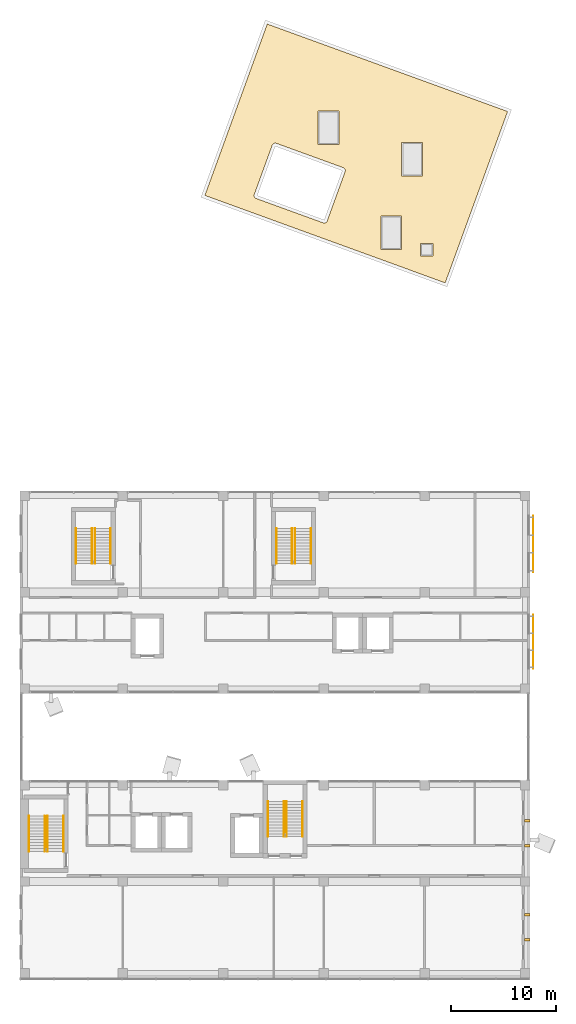
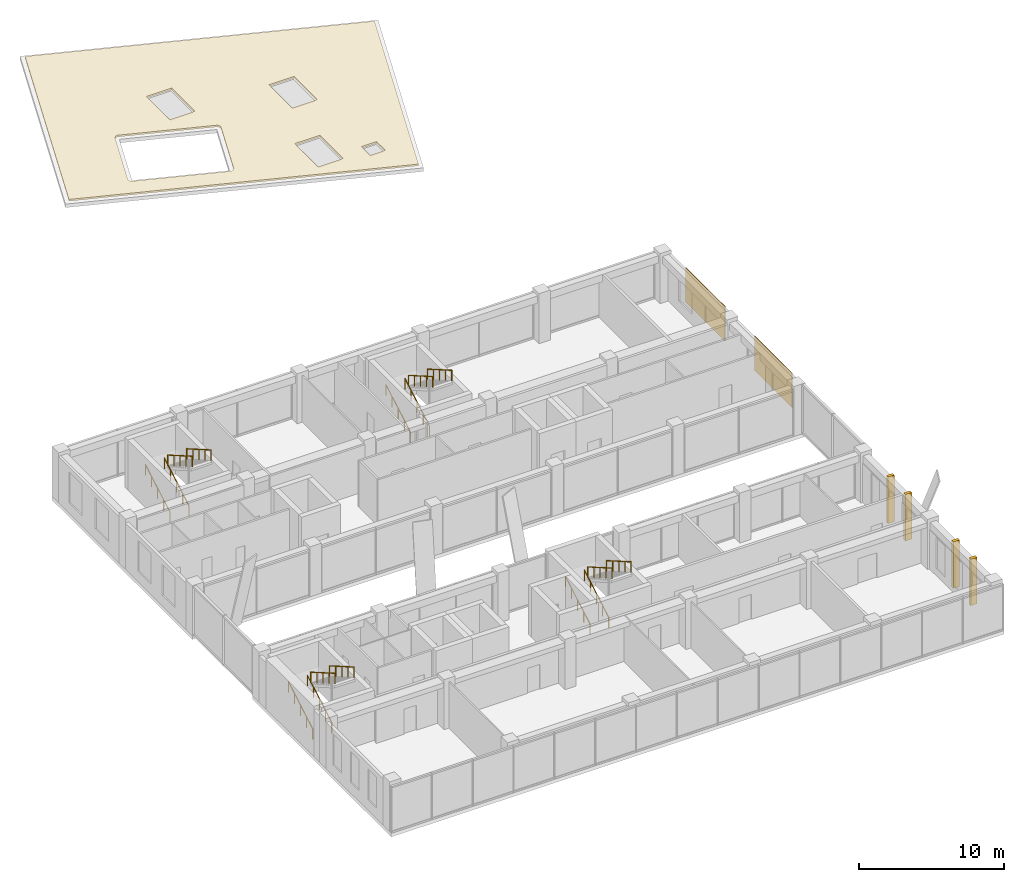
# One storey, part 31 of 36: 16 railings, 6 shading devices, 1 covering.
"""IFC4 building model written with IfcOpenShell, lengths in metres."""

from ifc_helpers import new_model, si_unit, direction, frame, origin, origin_2d, place, context, subcontext, project, spatial, polyline, rectangle, circle, outline, extrude, material, layer, layer_set, type_object, element, save


model = new_model("IFC4")

# Units and contexts
model_context = context("Model", 3, precision=1e-05, world=origin(), true_north=direction((0.0, 1.0)))
body_context = subcontext(model_context, "Body", "Model", "MODEL_VIEW")
ifc_project = project(units=[si_unit("LENGTHUNIT", "METRE"), si_unit("AREAUNIT", "SQUARE_METRE"), si_unit("VOLUMEUNIT", "CUBIC_METRE"), si_unit("PLANEANGLEUNIT", "RADIAN"), si_unit("MASSUNIT", "GRAM", prefix="KILO")], contexts=[model_context])

# Site, building, storey
site_placement = place(None, origin())
site = spatial("IfcSite", under=ifc_project, at=site_placement, CompositionType="ELEMENT")
building_placement = place(site_placement, origin())
building = spatial("IfcBuilding", under=site, at=building_placement, Name="Nzadi Deep Aquarium and Research Tower", CompositionType="ELEMENT")
storey_placement = place(building_placement, frame((0.0, 0.0, 44.5)))
storey = spatial("IfcBuildingStorey", under=building, at=storey_placement, Name="L08", CompositionType="ELEMENT", Elevation=44.5)

# Shading devices
ifc_material_1 = material(Name="Concrete C35/45", Category="concrete")
shading_device_type_1 = type_object("IfcShadingDeviceType", Name="Fin board-formed concrete 250 deep", PredefinedType="USERDEFINED", material=ifc_material_1)
for number, where, z_axis, x_axis, name in (
    (1, (48.199951171875, 3.625, 0.0), (0.0, 0.0, 1.0), (1.0, 0.0, 0.0), "Fin blade A east L08"),
    (2, (48.199951171875, 6.02490234375, 0.0), (0.0, 0.0, 1.0), (1.0, 0.0, 0.0), "Fin blade A east L08"),
    (3, (48.199951171875, 12.60009765625, 0.0), (0.0, 0.0, 1.0), (1.0, 0.0, 0.0), "Fin blade A east L08"),
    (4, (48.199951171875, 15.0, 0.0), (0.0, 0.0, 1.0), (1.0, 0.0, 0.0), "Fin blade A east L08"),
):
    element("IfcShadingDevice", number, at=place(storey_placement, frame(where, z_axis=z_axis, x_axis=x_axis)), inside=storey, type_object=shading_device_type_1, Name=name, ObjectType="Fin", PredefinedType="USERDEFINED", context=body_context, shape_type="SweptSolid", body=[
        extrude(rectangle(XDim=0.5, YDim=0.25, at=origin_2d()), origin(), (0.0, 0.0, 1.0), 3.89990234375),
    ])

# Railings
ifc_material_2 = material(Name="Stainless steel 1.4301", Category="steel")
railing_type = type_object("IfcRailingType", Name="HANDRAIL 900", PredefinedType="HANDRAIL", material=ifc_material_2)
for number, where, name in (
    (5, (0.659912109375, 12.070068359375, 0.16162109375), "HR-ST-Z1-SW-L08-F1"),
    (6, (2.1650390625, 12.070068359375, 0.16162109375), "HR-ST-Z1-SW-L08-F1W"),
):
    element("IfcRailing", number, at=place(storey_placement, frame(where)), inside=storey, type_object=railing_type, Name=name, PredefinedType="HANDRAIL", context=body_context, shape_type="SweptSolid", body=[
        extrude(circle(Radius=0.02392578125, at=origin_2d()), frame((0.0, 0.0, 0.8759765625), z_axis=(0.0, 0.866175107563, 0.499740615757), x_axis=(-1.0, 0.0, 0.0)), (0.0, 0.0, 1.0), 3.87890625),
        extrude(circle(Radius=0.02099609375, at=origin_2d()), origin(), (0.0, 0.0, 1.0), 0.851806640625),
        extrude(circle(Radius=0.02099609375, at=origin_2d()), frame((0.0, 0.83984375, 0.484619140625)), (0.0, 0.0, 1.0), 0.851806640625),
        extrude(circle(Radius=0.02099609375, at=origin_2d()), frame((0.0, 1.679931640625, 0.96923828125)), (0.0, 0.0, 1.0), 0.851806640625),
        extrude(circle(Radius=0.02099609375, at=origin_2d()), frame((0.0, 2.52001953125, 1.453857421875)), (0.0, 0.0, 1.0), 0.851806640625),
        extrude(circle(Radius=0.02099609375, at=origin_2d()), frame((0.0, 3.35986328125, 1.9384765625)), (0.0, 0.0, 1.0), 0.851806640625),
    ])
for number, where, name in (
    (7, (3.93994140625, 15.429931640625, 2.261474609375), "HR-ST-Z1-SW-L08-F2"),
    (8, (2.43505859375, 15.429931640625, 2.261474609375), "HR-ST-Z1-SW-L08-F2W"),
):
    element("IfcRailing", number, at=place(storey_placement, frame(where)), inside=storey, type_object=railing_type, Name=name, PredefinedType="HANDRAIL", context=body_context, shape_type="SweptSolid", body=[
        extrude(circle(Radius=0.02392578125, at=origin_2d()), frame((0.0, 0.0, 0.8759765625), z_axis=(0.0, -0.866175107563, 0.499740615757), x_axis=(1.0, 0.0, 0.0)), (0.0, 0.0, 1.0), 3.87890625),
        extrude(circle(Radius=0.02099609375, at=origin_2d()), origin(), (0.0, 0.0, 1.0), 0.851806640625),
        extrude(circle(Radius=0.02099609375, at=origin_2d()), frame((0.0, -0.83984375, 0.484619140625)), (0.0, 0.0, 1.0), 0.851806640625),
        extrude(circle(Radius=0.02099609375, at=origin_2d()), frame((0.0, -1.679931640625, 0.96923828125)), (0.0, 0.0, 1.0), 0.851806640625),
        extrude(circle(Radius=0.02099609375, at=origin_2d()), frame((0.0, -2.52001953125, 1.453857421875)), (0.0, 0.0, 1.0), 0.851806640625),
        extrude(circle(Radius=0.02099609375, at=origin_2d()), frame((0.0, -3.35986328125, 1.9384765625)), (0.0, 0.0, 1.0), 0.851806640625),
    ])
for number, where, name in (
    (9, (23.4599609375, 13.469970703125, 0.16162109375), "HR-ST-Z1-SE-L08-F1"),
    (10, (24.965087890625, 13.469970703125, 0.16162109375), "HR-ST-Z1-SE-L08-F1W"),
):
    element("IfcRailing", number, at=place(storey_placement, frame(where)), inside=storey, type_object=railing_type, Name=name, PredefinedType="HANDRAIL", context=body_context, shape_type="SweptSolid", body=[
        extrude(circle(Radius=0.02392578125, at=origin_2d()), frame((0.0, 0.0, 0.8759765625), z_axis=(0.0, 0.866190824863, 0.499713372768), x_axis=(-1.0, 0.0, 0.0)), (0.0, 0.0, 1.0), 3.879150390625),
        extrude(circle(Radius=0.02099609375, at=origin_2d()), origin(), (0.0, 0.0, 1.0), 0.851806640625),
        extrude(circle(Radius=0.02099609375, at=origin_2d()), frame((0.0, 0.840087890625, 0.484619140625)), (0.0, 0.0, 1.0), 0.851806640625),
        extrude(circle(Radius=0.02099609375, at=origin_2d()), frame((0.0, 1.68017578125, 0.96923828125)), (0.0, 0.0, 1.0), 0.851806640625),
        extrude(circle(Radius=0.02099609375, at=origin_2d()), frame((0.0, 2.52001953125, 1.453857421875)), (0.0, 0.0, 1.0), 0.851806640625),
        extrude(circle(Radius=0.02099609375, at=origin_2d()), frame((0.0, 3.360107421875, 1.9384765625)), (0.0, 0.0, 1.0), 0.851806640625),
    ])
for number, where, name in (
    (11, (26.739990234375, 16.830078125, 2.261474609375), "HR-ST-Z1-SE-L08-F2"),
    (12, (25.235107421875, 16.830078125, 2.261474609375), "HR-ST-Z1-SE-L08-F2W"),
):
    element("IfcRailing", number, at=place(storey_placement, frame(where)), inside=storey, type_object=railing_type, Name=name, PredefinedType="HANDRAIL", context=body_context, shape_type="SweptSolid", body=[
        extrude(circle(Radius=0.02392578125, at=origin_2d()), frame((0.0, 0.0, 0.8759765625), z_axis=(0.0, -0.866190824863, 0.499713372768), x_axis=(1.0, 0.0, 0.0)), (0.0, 0.0, 1.0), 3.879150390625),
        extrude(circle(Radius=0.02099609375, at=origin_2d()), origin(), (0.0, 0.0, 1.0), 0.851806640625),
        extrude(circle(Radius=0.02099609375, at=origin_2d()), frame((0.0, -0.840087890625, 0.484619140625)), (0.0, 0.0, 1.0), 0.851806640625),
        extrude(circle(Radius=0.02099609375, at=origin_2d()), frame((0.0, -1.68017578125, 0.96923828125)), (0.0, 0.0, 1.0), 0.851806640625),
        extrude(circle(Radius=0.02099609375, at=origin_2d()), frame((0.0, -2.52001953125, 1.453857421875)), (0.0, 0.0, 1.0), 0.851806640625),
        extrude(circle(Radius=0.02099609375, at=origin_2d()), frame((0.0, -3.360107421875, 1.9384765625)), (0.0, 0.0, 1.0), 0.851806640625),
    ])
for number, where, name in (
    (13, (5.159912109375, 39.52001953125, 0.16162109375), "HR-ST-Z1-NW-L08-F1"),
    (14, (6.6650390625, 39.52001953125, 0.16162109375), "HR-ST-Z1-NW-L08-F1W"),
):
    element("IfcRailing", number, at=place(storey_placement, frame(where)), inside=storey, type_object=railing_type, Name=name, PredefinedType="HANDRAIL", context=body_context, shape_type="SweptSolid", body=[
        extrude(circle(Radius=0.02392578125, at=origin_2d()), frame((0.0, 0.0, 0.8759765625), z_axis=(0.0, 0.866175107563, 0.499740615757), x_axis=(-1.0, 0.0, 0.0)), (0.0, 0.0, 1.0), 3.87890625),
        extrude(circle(Radius=0.02099609375, at=origin_2d()), origin(), (0.0, 0.0, 1.0), 0.851806640625),
        extrude(circle(Radius=0.02099609375, at=origin_2d()), frame((0.0, 0.83984375, 0.484619140625)), (0.0, 0.0, 1.0), 0.851806640625),
        extrude(circle(Radius=0.02099609375, at=origin_2d()), frame((0.0, 1.679931640625, 0.96923828125)), (0.0, 0.0, 1.0), 0.851806640625),
        extrude(circle(Radius=0.02099609375, at=origin_2d()), frame((0.0, 2.52001953125, 1.453857421875)), (0.0, 0.0, 1.0), 0.851806640625),
        extrude(circle(Radius=0.02099609375, at=origin_2d()), frame((0.0, 3.35986328125, 1.9384765625)), (0.0, 0.0, 1.0), 0.851806640625),
    ])
for number, where, name in (
    (15, (8.43994140625, 42.8798828125, 2.261474609375), "HR-ST-Z1-NW-L08-F2"),
    (16, (6.93505859375, 42.8798828125, 2.261474609375), "HR-ST-Z1-NW-L08-F2W"),
):
    element("IfcRailing", number, at=place(storey_placement, frame(where)), inside=storey, type_object=railing_type, Name=name, PredefinedType="HANDRAIL", context=body_context, shape_type="SweptSolid", body=[
        extrude(circle(Radius=0.02392578125, at=origin_2d()), frame((0.0, 0.0, 0.8759765625), z_axis=(0.0, -0.866175107563, 0.499740615757), x_axis=(1.0, 0.0, 0.0)), (0.0, 0.0, 1.0), 3.87890625),
        extrude(circle(Radius=0.02099609375, at=origin_2d()), origin(), (0.0, 0.0, 1.0), 0.851806640625),
        extrude(circle(Radius=0.02099609375, at=origin_2d()), frame((0.0, -0.83984375, 0.484619140625)), (0.0, 0.0, 1.0), 0.851806640625),
        extrude(circle(Radius=0.02099609375, at=origin_2d()), frame((0.0, -1.679931640625, 0.96923828125)), (0.0, 0.0, 1.0), 0.851806640625),
        extrude(circle(Radius=0.02099609375, at=origin_2d()), frame((0.0, -2.52001953125, 1.453857421875)), (0.0, 0.0, 1.0), 0.851806640625),
        extrude(circle(Radius=0.02099609375, at=origin_2d()), frame((0.0, -3.35986328125, 1.9384765625)), (0.0, 0.0, 1.0), 0.851806640625),
    ])
for number, where, name in (
    (17, (24.260009765625, 39.52001953125, 0.16162109375), "HR-ST-Z1-NE-L08-F1"),
    (18, (25.764892578125, 39.52001953125, 0.16162109375), "HR-ST-Z1-NE-L08-F1W"),
):
    element("IfcRailing", number, at=place(storey_placement, frame(where)), inside=storey, type_object=railing_type, Name=name, PredefinedType="HANDRAIL", context=body_context, shape_type="SweptSolid", body=[
        extrude(circle(Radius=0.02392578125, at=origin_2d()), frame((0.0, 0.0, 0.8759765625), z_axis=(0.0, 0.866175107563, 0.499740615757), x_axis=(-1.0, 0.0, 0.0)), (0.0, 0.0, 1.0), 3.87890625),
        extrude(circle(Radius=0.02099609375, at=origin_2d()), origin(), (0.0, 0.0, 1.0), 0.851806640625),
        extrude(circle(Radius=0.02099609375, at=origin_2d()), frame((0.0, 0.83984375, 0.484619140625)), (0.0, 0.0, 1.0), 0.851806640625),
        extrude(circle(Radius=0.02099609375, at=origin_2d()), frame((0.0, 1.679931640625, 0.96923828125)), (0.0, 0.0, 1.0), 0.851806640625),
        extrude(circle(Radius=0.02099609375, at=origin_2d()), frame((0.0, 2.52001953125, 1.453857421875)), (0.0, 0.0, 1.0), 0.851806640625),
        extrude(circle(Radius=0.02099609375, at=origin_2d()), frame((0.0, 3.35986328125, 1.9384765625)), (0.0, 0.0, 1.0), 0.851806640625),
    ])
for number, where, name in (
    (19, (27.5400390625, 42.8798828125, 2.261474609375), "HR-ST-Z1-NE-L08-F2"),
    (20, (26.034912109375, 42.8798828125, 2.261474609375), "HR-ST-Z1-NE-L08-F2W"),
):
    element("IfcRailing", number, at=place(storey_placement, frame(where)), inside=storey, type_object=railing_type, Name=name, PredefinedType="HANDRAIL", context=body_context, shape_type="SweptSolid", body=[
        extrude(circle(Radius=0.02392578125, at=origin_2d()), frame((0.0, 0.0, 0.8759765625), z_axis=(0.0, -0.866175107563, 0.499740615757), x_axis=(1.0, 0.0, 0.0)), (0.0, 0.0, 1.0), 3.87890625),
        extrude(circle(Radius=0.02099609375, at=origin_2d()), origin(), (0.0, 0.0, 1.0), 0.851806640625),
        extrude(circle(Radius=0.02099609375, at=origin_2d()), frame((0.0, -0.83984375, 0.484619140625)), (0.0, 0.0, 1.0), 0.851806640625),
        extrude(circle(Radius=0.02099609375, at=origin_2d()), frame((0.0, -1.679931640625, 0.96923828125)), (0.0, 0.0, 1.0), 0.851806640625),
        extrude(circle(Radius=0.02099609375, at=origin_2d()), frame((0.0, -2.52001953125, 1.453857421875)), (0.0, 0.0, 1.0), 0.851806640625),
        extrude(circle(Radius=0.02099609375, at=origin_2d()), frame((0.0, -3.35986328125, 1.9384765625)), (0.0, 0.0, 1.0), 0.851806640625),
    ])

# Shading devices
ifc_material_3 = material(Name="Aluminium perforated sheet", Category="aluminium")
shading_device_type_2 = type_object("IfcShadingDeviceType", Name="Perforated screen 40 mm", PredefinedType="USERDEFINED", material=ifc_material_3)
shading_device_1_placement = place(storey_placement, frame((48.77001953125, 32.074951171875, 0.60009765625), z_axis=(0.0, 0.0, 1.0), x_axis=(1.0, 0.0, 0.0)))
element("IfcShadingDevice", 21, at=shading_device_1_placement, inside=storey, type_object=shading_device_type_2, Name="Perforated screen L08 BE", ObjectType="Screen", PredefinedType="USERDEFINED", context=body_context, shape_type="SweptSolid", body=[
    extrude(rectangle(XDim=0.0400390625, YDim=5.14990234375, at=origin_2d()), origin(), (0.0, 0.0, 1.0), 2.89990234375),
])
shading_device_2_placement = place(storey_placement, frame((48.77001953125, 41.39990234375, 0.60009765625), z_axis=(0.0, 0.0, 1.0), x_axis=(1.0, 0.0, 0.0)))
element("IfcShadingDevice", 22, at=shading_device_2_placement, inside=storey, type_object=shading_device_type_2, Name="Perforated screen L08 BE", ObjectType="Screen", PredefinedType="USERDEFINED", context=body_context, shape_type="SweptSolid", body=[
    extrude(rectangle(XDim=0.0400390625, YDim=5.39990234375, at=origin_2d()), origin(), (0.0, 0.0, 1.0), 2.89990234375),
])

# Covering
ifc_material_4 = material(Name="Bituminous membrane and mineral wool insulation")
ifc_layer = layer(ifc_material_4, 0.14990234375)
ifc_layer_set = layer_set([ifc_layer], Name="Bituminous membrane and mineral wool insulation")
covering_type = type_object("IfcCoveringType", Name="Roofing membrane and insulation 150", PredefinedType="ROOFING", material=ifc_layer_set)
covering_placement = place(storey_placement, frame((0.0, 0.0, 1.5)))
element("IfcCovering", 23, at=covering_placement, inside=storey, type_object=covering_type, Name="Roofing", PredefinedType="ROOFING", context=body_context, shape_type="SweptSolid", body=[
    extrude(outline(polyline([(46.318115234375, 82.659912109375), (40.366943359375, 66.309326171875), (17.4384765625, 74.654541015625), (23.389404296875, 91.005126953125), (46.318115234375, 82.659912109375)]), holes=[polyline([(30.818359375, 76.914794921875), (30.826904296875, 76.94287109375), (30.8330078125, 76.9716796875), (30.8359375, 77.0009765625), (30.836181640625, 77.0302734375), (30.833251953125, 77.059814453125), (30.827880859375, 77.088623046875), (30.8193359375, 77.11669921875), (30.80810546875, 77.14404296875), (30.79443359375, 77.170166015625), (30.7783203125, 77.194580078125), (30.759765625, 77.217529296875), (30.739013671875, 77.23828125), (30.71630859375, 77.257080078125), (30.69189453125, 77.273681640625), (30.666015625, 77.287841796875), (30.638916015625, 77.29931640625), (24.2490234375, 79.625), (24.220947265625, 79.633544921875), (24.192138671875, 79.639404296875), (24.162841796875, 79.642578125), (24.13330078125, 79.642578125), (24.10400390625, 79.639892578125), (24.0751953125, 79.634521484375), (24.046875, 79.6259765625), (24.019775390625, 79.614990234375), (23.99365234375, 79.601318359375), (23.968994140625, 79.5849609375), (23.9462890625, 79.56640625), (23.92529296875, 79.545654296875), (23.906494140625, 79.52294921875), (23.889892578125, 79.49853515625), (23.8759765625, 79.47265625), (23.864501953125, 79.445556640625), (22.154296875, 74.7470703125), (22.145751953125, 74.718994140625), (22.139892578125, 74.690185546875), (22.13671875, 74.660888671875), (22.13671875, 74.631591796875), (22.139404296875, 74.60205078125), (22.14501953125, 74.5732421875), (22.1533203125, 74.544921875), (22.16455078125, 74.517822265625), (22.17822265625, 74.49169921875), (22.1943359375, 74.467041015625), (22.212890625, 74.4443359375), (22.233642578125, 74.42333984375), (22.25634765625, 74.404541015625), (22.28076171875, 74.38818359375), (22.306640625, 74.3740234375), (22.333740234375, 74.362548828125), (28.7236328125, 72.036865234375), (28.751708984375, 72.0283203125), (28.780517578125, 72.022216796875), (28.809814453125, 72.019287109375), (28.83935546875, 72.01904296875), (28.86865234375, 72.021728515625), (28.897705078125, 72.02734375), (28.92578125, 72.035888671875), (28.952880859375, 72.046875), (28.97900390625, 72.060546875), (29.003662109375, 72.076904296875), (29.026611328125, 72.095458984375), (29.04736328125, 72.1162109375), (29.066162109375, 72.138916015625), (29.082763671875, 72.1630859375), (29.0966796875, 72.189208984375), (29.108154296875, 72.21630859375), (30.818359375, 76.914794921875)]), polyline([(39.217041015625, 70.087890625), (38.01708984375, 70.087890625), (38.01708984375, 68.887939453125), (39.217041015625, 68.887939453125), (39.217041015625, 70.087890625)]), polyline([(36.219970703125, 72.69091796875), (34.219970703125, 72.69091796875), (34.219970703125, 69.490966796875), (36.219970703125, 69.490966796875), (36.219970703125, 72.69091796875)]), polyline([(38.219970703125, 79.69091796875), (36.219970703125, 79.69091796875), (36.219970703125, 76.490966796875), (38.219970703125, 76.490966796875), (38.219970703125, 79.69091796875)]), polyline([(30.219970703125, 82.69091796875), (28.219970703125, 82.69091796875), (28.219970703125, 79.490966796875), (30.219970703125, 79.490966796875), (30.219970703125, 82.69091796875)])]), origin(), (0.0, 0.0, 1.0), 0.14990234375),
])

save(model, "model.ifc")
